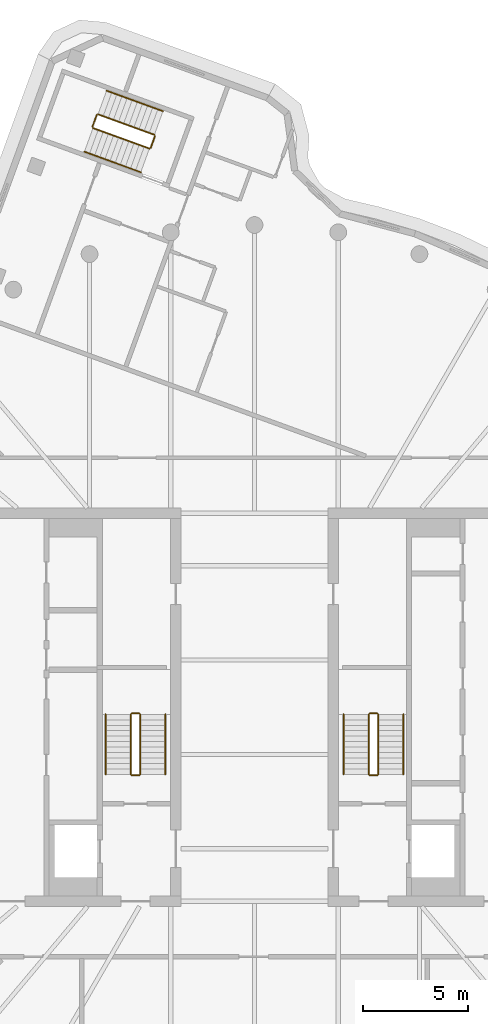
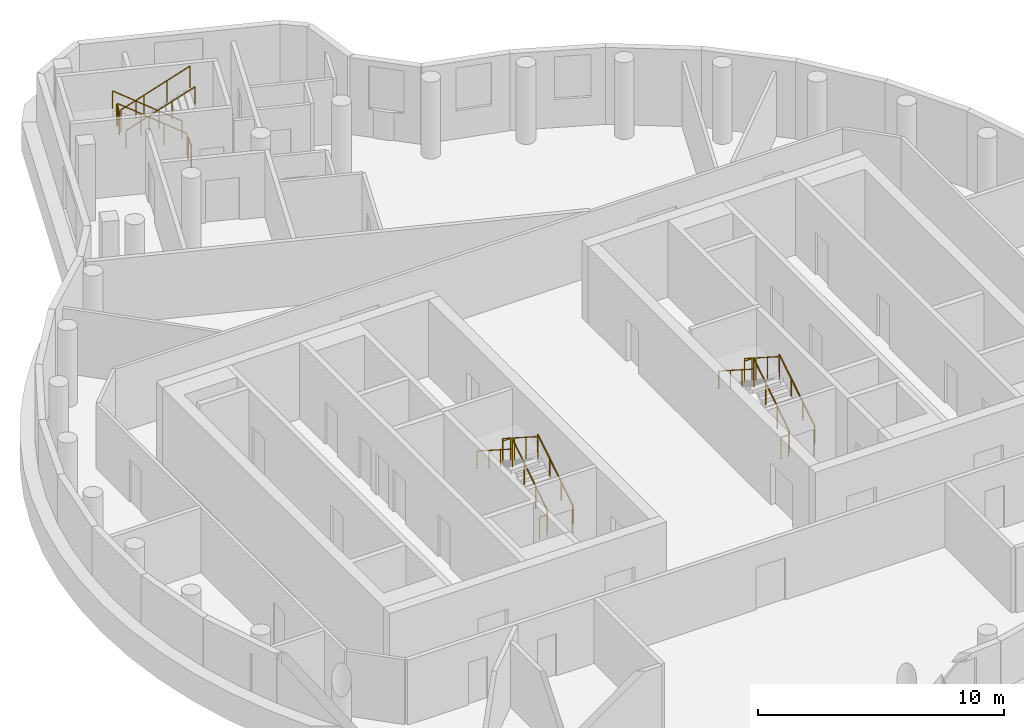
# One storey, part 7 of 7: 18 railings.
"""IFC4 building model written with IfcOpenShell, lengths in metres."""

from ifc_helpers import new_model, si_unit, direction, frame, origin, origin_2d, place, context, subcontext, project, spatial, circle, extrude, material, type_object, element, save


model = new_model("IFC4")

# Units and contexts
model_context = context("Model", 3, precision=1e-05, world=origin(), true_north=direction((0.0, 1.0)))
body_context = subcontext(model_context, "Body", "Model", "MODEL_VIEW")
ifc_project = project(units=[si_unit("LENGTHUNIT", "METRE"), si_unit("AREAUNIT", "SQUARE_METRE"), si_unit("VOLUMEUNIT", "CUBIC_METRE"), si_unit("PLANEANGLEUNIT", "RADIAN"), si_unit("MASSUNIT", "GRAM", prefix="KILO")], contexts=[model_context])

# Site, building, storey
site_placement = place(None, origin())
site = spatial("IfcSite", under=ifc_project, at=site_placement, CompositionType="ELEMENT")
building_placement = place(site_placement, origin())
building = spatial("IfcBuilding", under=site, at=building_placement, Name="Tamarind Cross Interchange Tower", CompositionType="ELEMENT")
storey_placement = place(building_placement, frame((0.0, 0.0, 309.39990234375)))
storey = spatial("IfcBuildingStorey", under=building, at=storey_placement, Name="L76", CompositionType="ELEMENT", Elevation=309.39990234375)

# Railings
ifc_material_1 = material(Name="Stair guard")
railing_type_1 = type_object("IfcRailingType", Name="Stair guard", PredefinedType="GUARDRAIL", material=ifc_material_1)
railing_1_placement = place(storey_placement, frame((-5.449951171875, -3.199951171875, 0.166748046875)))
element("IfcRailing", 1, at=railing_1_placement, inside=storey, type_object=railing_type_1, Name="L76 ST1 stair guard 1", PredefinedType="GUARDRAIL", context=body_context, shape_type="SweptSolid", body=[
    extrude(circle(Radius=0.02392578125, at=origin_2d()), frame((0.0, 0.0, 1.076171875), z_axis=(0.0, 0.841878301714, 0.539667420827), x_axis=(-1.0, 0.0, 0.0)), (0.0, 0.0, 1.0), 3.39697265625),
    extrude(circle(Radius=0.02099609375, at=origin_2d()), origin(), (0.0, 0.0, 1.0), 1.052001953125),
    extrude(circle(Radius=0.02099609375, at=origin_2d()), frame((0.0, 0.953369140625, 0.611083984375)), (0.0, 0.0, 1.0), 1.052001953125),
    extrude(circle(Radius=0.02099609375, at=origin_2d()), frame((0.0, 1.906494140625, 1.22216796875)), (0.0, 0.0, 1.0), 1.052001953125),
    extrude(circle(Radius=0.02099609375, at=origin_2d()), frame((0.0, 2.85986328125, 1.833251953125)), (0.0, 0.0, 1.0), 1.052001953125),
])
railing_2_placement = place(storey_placement, frame((-5.5, -0.2900390625, 2.0)))
element("IfcRailing", 2, at=railing_2_placement, inside=storey, type_object=railing_type_1, Name="L76 ST1 stair guard 2", PredefinedType="GUARDRAIL", context=body_context, shape_type="SweptSolid", body=[
    extrude(circle(Radius=0.02392578125, at=origin_2d()), frame((0.0, 0.0, 1.076171875), z_axis=(-1.0, 0.0, 0.0), x_axis=(0.0, -1.0, 0.0)), (0.0, 0.0, 1.0), 0.35009765625),
    extrude(circle(Radius=0.02099609375, at=origin_2d()), origin(), (0.0, 0.0, 1.0), 1.052001953125),
    extrude(circle(Radius=0.02099609375, at=origin_2d()), frame((-0.35009765625, 0.0, 0.0)), (0.0, 0.0, 1.0), 1.052001953125),
])
railing_3_placement = place(storey_placement, frame((-5.89990234375, -0.340087890625, 2.166748046875)))
element("IfcRailing", 3, at=railing_3_placement, inside=storey, type_object=railing_type_1, Name="L76 ST1 stair guard 3", PredefinedType="GUARDRAIL", context=body_context, shape_type="SweptSolid", body=[
    extrude(circle(Radius=0.02392578125, at=origin_2d()), frame((0.0, 0.0, 1.076171875), z_axis=(0.0, -0.841878301714, 0.539667420827), x_axis=(1.0, 0.0, 0.0)), (0.0, 0.0, 1.0), 3.39697265625),
    extrude(circle(Radius=0.02099609375, at=origin_2d()), origin(), (0.0, 0.0, 1.0), 1.052001953125),
    extrude(circle(Radius=0.02099609375, at=origin_2d()), frame((0.0, -0.953369140625, 0.611083984375)), (0.0, 0.0, 1.0), 1.052001953125),
    extrude(circle(Radius=0.02099609375, at=origin_2d()), frame((0.0, -1.906494140625, 1.22216796875)), (0.0, 0.0, 1.0), 1.052001953125),
    extrude(circle(Radius=0.02099609375, at=origin_2d()), frame((0.0, -2.85986328125, 1.833251953125)), (0.0, 0.0, 1.0), 1.052001953125),
])
railing_4_placement = place(storey_placement, frame((-5.5, -3.25, 0.0)))
element("IfcRailing", 4, at=railing_4_placement, inside=storey, type_object=railing_type_1, Name="L76 ST1 stair guard 4", PredefinedType="GUARDRAIL", context=body_context, shape_type="SweptSolid", body=[
    extrude(circle(Radius=0.02392578125, at=origin_2d()), frame((0.0, 0.0, 1.076171875), z_axis=(-1.0, 0.0, 0.0), x_axis=(0.0, -1.0, 0.0)), (0.0, 0.0, 1.0), 0.35009765625),
    extrude(circle(Radius=0.02099609375, at=origin_2d()), origin(), (0.0, 0.0, 1.0), 1.052001953125),
    extrude(circle(Radius=0.02099609375, at=origin_2d()), frame((-0.35009765625, 0.0, 0.0)), (0.0, 0.0, 1.0), 1.052001953125),
])
railing_5_placement = place(storey_placement, frame((5.89990234375, -3.199951171875, 0.166748046875)))
element("IfcRailing", 5, at=railing_5_placement, inside=storey, type_object=railing_type_1, Name="L76 ST2 stair guard 1", PredefinedType="GUARDRAIL", context=body_context, shape_type="SweptSolid", body=[
    extrude(circle(Radius=0.02392578125, at=origin_2d()), frame((0.0, 0.0, 1.076171875), z_axis=(0.0, 0.841878301714, 0.539667420827), x_axis=(-1.0, 0.0, 0.0)), (0.0, 0.0, 1.0), 3.39697265625),
    extrude(circle(Radius=0.02099609375, at=origin_2d()), origin(), (0.0, 0.0, 1.0), 1.052001953125),
    extrude(circle(Radius=0.02099609375, at=origin_2d()), frame((0.0, 0.953369140625, 0.611083984375)), (0.0, 0.0, 1.0), 1.052001953125),
    extrude(circle(Radius=0.02099609375, at=origin_2d()), frame((0.0, 1.906494140625, 1.22216796875)), (0.0, 0.0, 1.0), 1.052001953125),
    extrude(circle(Radius=0.02099609375, at=origin_2d()), frame((0.0, 2.85986328125, 1.833251953125)), (0.0, 0.0, 1.0), 1.052001953125),
])
railing_6_placement = place(storey_placement, frame((5.85009765625, -0.2900390625, 2.0)))
element("IfcRailing", 6, at=railing_6_placement, inside=storey, type_object=railing_type_1, Name="L76 ST2 stair guard 2", PredefinedType="GUARDRAIL", context=body_context, shape_type="SweptSolid", body=[
    extrude(circle(Radius=0.02392578125, at=origin_2d()), frame((0.0, 0.0, 1.076171875), z_axis=(-1.0, 0.0, 0.0), x_axis=(0.0, -1.0, 0.0)), (0.0, 0.0, 1.0), 0.35009765625),
    extrude(circle(Radius=0.02099609375, at=origin_2d()), origin(), (0.0, 0.0, 1.0), 1.052001953125),
    extrude(circle(Radius=0.02099609375, at=origin_2d()), frame((-0.35009765625, 0.0, 0.0)), (0.0, 0.0, 1.0), 1.052001953125),
])
railing_7_placement = place(storey_placement, frame((5.449951171875, -0.340087890625, 2.166748046875)))
element("IfcRailing", 7, at=railing_7_placement, inside=storey, type_object=railing_type_1, Name="L76 ST2 stair guard 3", PredefinedType="GUARDRAIL", context=body_context, shape_type="SweptSolid", body=[
    extrude(circle(Radius=0.02392578125, at=origin_2d()), frame((0.0, 0.0, 1.076171875), z_axis=(0.0, -0.841878301714, 0.539667420827), x_axis=(1.0, 0.0, 0.0)), (0.0, 0.0, 1.0), 3.39697265625),
    extrude(circle(Radius=0.02099609375, at=origin_2d()), origin(), (0.0, 0.0, 1.0), 1.052001953125),
    extrude(circle(Radius=0.02099609375, at=origin_2d()), frame((0.0, -0.953369140625, 0.611083984375)), (0.0, 0.0, 1.0), 1.052001953125),
    extrude(circle(Radius=0.02099609375, at=origin_2d()), frame((0.0, -1.906494140625, 1.22216796875)), (0.0, 0.0, 1.0), 1.052001953125),
    extrude(circle(Radius=0.02099609375, at=origin_2d()), frame((0.0, -2.85986328125, 1.833251953125)), (0.0, 0.0, 1.0), 1.052001953125),
])
railing_8_placement = place(storey_placement, frame((5.85009765625, -3.25, 0.0)))
element("IfcRailing", 8, at=railing_8_placement, inside=storey, type_object=railing_type_1, Name="L76 ST2 stair guard 4", PredefinedType="GUARDRAIL", context=body_context, shape_type="SweptSolid", body=[
    extrude(circle(Radius=0.02392578125, at=origin_2d()), frame((0.0, 0.0, 1.076171875), z_axis=(-1.0, 0.0, 0.0), x_axis=(0.0, -1.0, 0.0)), (0.0, 0.0, 1.0), 0.35009765625),
    extrude(circle(Radius=0.02099609375, at=origin_2d()), origin(), (0.0, 0.0, 1.0), 1.052001953125),
    extrude(circle(Radius=0.02099609375, at=origin_2d()), frame((-0.35009765625, 0.0, 0.0)), (0.0, 0.0, 1.0), 1.052001953125),
])
railing_9_placement = place(storey_placement, frame((-4.7744140625, 27.302490234375, 0.166748046875)))
element("IfcRailing", 9, at=railing_9_placement, inside=storey, type_object=railing_type_1, Name="L76 ST4 stair guard 1", PredefinedType="GUARDRAIL", context=body_context, shape_type="SweptSolid", body=[
    extrude(circle(Radius=0.02392578125, at=origin_2d()), frame((0.0, 0.0, 1.076171875), z_axis=(-0.791109245406, 0.287970089602, 0.539647467638), x_axis=(-0.342051474784, -0.939681216476, 0.0)), (0.0, 0.0, 1.0), 3.397216796875),
    extrude(circle(Radius=0.02099609375, at=origin_2d()), origin(), (0.0, 0.0, 1.0), 1.052001953125),
    extrude(circle(Radius=0.02099609375, at=origin_2d()), frame((-0.895751953125, 0.326171875, 0.611083984375)), (0.0, 0.0, 1.0), 1.052001953125),
    extrude(circle(Radius=0.02099609375, at=origin_2d()), frame((-1.791748046875, 0.652099609375, 1.22216796875)), (0.0, 0.0, 1.0), 1.052001953125),
    extrude(circle(Radius=0.02099609375, at=origin_2d()), frame((-2.6875, 0.978271484375, 1.833251953125)), (0.0, 0.0, 1.0), 1.052001953125),
])
railing_10_placement = place(storey_placement, frame((-7.526123046875, 28.250732421875, 2.0)))
element("IfcRailing", 10, at=railing_10_placement, inside=storey, type_object=railing_type_1, Name="L76 ST4 stair guard 2", PredefinedType="GUARDRAIL", context=body_context, shape_type="SweptSolid", body=[
    extrude(circle(Radius=0.02392578125, at=origin_2d()), frame((0.0, 0.0, 1.076171875), z_axis=(-0.341873772729, -0.939745882417, 0.0), x_axis=(0.939745882417, -0.341873772729, 0.0)), (0.0, 0.0, 1.0), 0.599853515625),
    extrude(circle(Radius=0.02099609375, at=origin_2d()), origin(), (0.0, 0.0, 1.0), 1.052001953125),
    extrude(circle(Radius=0.02099609375, at=origin_2d()), frame((-0.205078125, -0.563720703125, 0.0)), (0.0, 0.0, 1.0), 1.052001953125),
])
railing_11_placement = place(storey_placement, frame((-7.701416015625, 27.622802734375, 2.166748046875)))
element("IfcRailing", 11, at=railing_11_placement, inside=storey, type_object=railing_type_1, Name="L76 ST4 stair guard 3", PredefinedType="GUARDRAIL", context=body_context, shape_type="SweptSolid", body=[
    extrude(circle(Radius=0.02392578125, at=origin_2d()), frame((0.0, 0.0, 1.076171875), z_axis=(0.791125616254, -0.287904180479, 0.539658634852), x_axis=(0.34197609546, 0.939708651729, 0.0)), (0.0, 0.0, 1.0), 3.39697265625),
    extrude(circle(Radius=0.02099609375, at=origin_2d()), origin(), (0.0, 0.0, 1.0), 1.052001953125),
    extrude(circle(Radius=0.02099609375, at=origin_2d()), frame((0.895751953125, -0.325927734375, 0.611083984375)), (0.0, 0.0, 1.0), 1.052001953125),
    extrude(circle(Radius=0.02099609375, at=origin_2d()), frame((1.791748046875, -0.652099609375, 1.22216796875)), (0.0, 0.0, 1.0), 1.052001953125),
    extrude(circle(Radius=0.02099609375, at=origin_2d()), frame((2.6875, -0.97802734375, 1.833251953125)), (0.0, 0.0, 1.0), 1.052001953125),
])
railing_12_placement = place(storey_placement, frame((-4.74462890625, 27.238525390625, 0.0)))
element("IfcRailing", 12, at=railing_12_placement, inside=storey, type_object=railing_type_1, Name="L76 ST4 stair guard 4", PredefinedType="GUARDRAIL", context=body_context, shape_type="SweptSolid", body=[
    extrude(circle(Radius=0.02392578125, at=origin_2d()), frame((0.0, 0.0, 1.076171875), z_axis=(-0.341743063087, -0.939793423488, 0.0), x_axis=(0.939793423488, -0.341743063087, 0.0)), (0.0, 0.0, 1.0), 0.60009765625),
    extrude(circle(Radius=0.02099609375, at=origin_2d()), origin(), (0.0, 0.0, 1.0), 1.052001953125),
    extrude(circle(Radius=0.02099609375, at=origin_2d()), frame((-0.205078125, -0.56396484375, 0.0)), (0.0, 0.0, 1.0), 1.052001953125),
])
ifc_material_2 = material(Name="Stair handrail")
railing_type_2 = type_object("IfcRailingType", Name="Stair handrail", PredefinedType="HANDRAIL", material=ifc_material_2)
railing_13_placement = place(storey_placement, frame((-4.25, -3.199951171875, 0.166748046875)))
element("IfcRailing", 13, at=railing_13_placement, inside=storey, type_object=railing_type_2, Name="L76 ST1 stair handrail 1", PredefinedType="HANDRAIL", context=body_context, shape_type="SweptSolid", body=[
    extrude(circle(Radius=0.02392578125, at=origin_2d()), frame((0.0, 0.0, 0.8759765625), z_axis=(0.0, 0.841878301714, 0.539667420827), x_axis=(-1.0, 0.0, 0.0)), (0.0, 0.0, 1.0), 3.39697265625),
    extrude(circle(Radius=0.02099609375, at=origin_2d()), origin(), (0.0, 0.0, 1.0), 0.851806640625),
    extrude(circle(Radius=0.02099609375, at=origin_2d()), frame((0.0, 0.953369140625, 0.611083984375)), (0.0, 0.0, 1.0), 0.851806640625),
    extrude(circle(Radius=0.02099609375, at=origin_2d()), frame((0.0, 1.906494140625, 1.22216796875)), (0.0, 0.0, 1.0), 0.851806640625),
    extrude(circle(Radius=0.02099609375, at=origin_2d()), frame((0.0, 2.85986328125, 1.833251953125)), (0.0, 0.0, 1.0), 0.851806640625),
])
railing_14_placement = place(storey_placement, frame((-7.10009765625, -0.340087890625, 2.166748046875)))
element("IfcRailing", 14, at=railing_14_placement, inside=storey, type_object=railing_type_2, Name="L76 ST1 stair handrail 2", PredefinedType="HANDRAIL", context=body_context, shape_type="SweptSolid", body=[
    extrude(circle(Radius=0.02392578125, at=origin_2d()), frame((0.0, 0.0, 0.8759765625), z_axis=(0.0, -0.841878301714, 0.539667420827), x_axis=(1.0, 0.0, 0.0)), (0.0, 0.0, 1.0), 3.39697265625),
    extrude(circle(Radius=0.02099609375, at=origin_2d()), origin(), (0.0, 0.0, 1.0), 0.851806640625),
    extrude(circle(Radius=0.02099609375, at=origin_2d()), frame((0.0, -0.953369140625, 0.611083984375)), (0.0, 0.0, 1.0), 0.851806640625),
    extrude(circle(Radius=0.02099609375, at=origin_2d()), frame((0.0, -1.906494140625, 1.22216796875)), (0.0, 0.0, 1.0), 0.851806640625),
    extrude(circle(Radius=0.02099609375, at=origin_2d()), frame((0.0, -2.85986328125, 1.833251953125)), (0.0, 0.0, 1.0), 0.851806640625),
])
railing_15_placement = place(storey_placement, frame((7.10009765625, -3.199951171875, 0.166748046875)))
element("IfcRailing", 15, at=railing_15_placement, inside=storey, type_object=railing_type_2, Name="L76 ST2 stair handrail 1", PredefinedType="HANDRAIL", context=body_context, shape_type="SweptSolid", body=[
    extrude(circle(Radius=0.02392578125, at=origin_2d()), frame((0.0, 0.0, 0.8759765625), z_axis=(0.0, 0.841878301714, 0.539667420827), x_axis=(-1.0, 0.0, 0.0)), (0.0, 0.0, 1.0), 3.39697265625),
    extrude(circle(Radius=0.02099609375, at=origin_2d()), origin(), (0.0, 0.0, 1.0), 0.851806640625),
    extrude(circle(Radius=0.02099609375, at=origin_2d()), frame((0.0, 0.953369140625, 0.611083984375)), (0.0, 0.0, 1.0), 0.851806640625),
    extrude(circle(Radius=0.02099609375, at=origin_2d()), frame((0.0, 1.906494140625, 1.22216796875)), (0.0, 0.0, 1.0), 0.851806640625),
    extrude(circle(Radius=0.02099609375, at=origin_2d()), frame((0.0, 2.85986328125, 1.833251953125)), (0.0, 0.0, 1.0), 0.851806640625),
])
railing_16_placement = place(storey_placement, frame((4.25, -0.340087890625, 2.166748046875)))
element("IfcRailing", 16, at=railing_16_placement, inside=storey, type_object=railing_type_2, Name="L76 ST2 stair handrail 2", PredefinedType="HANDRAIL", context=body_context, shape_type="SweptSolid", body=[
    extrude(circle(Radius=0.02392578125, at=origin_2d()), frame((0.0, 0.0, 0.8759765625), z_axis=(0.0, -0.841878301714, 0.539667420827), x_axis=(1.0, 0.0, 0.0)), (0.0, 0.0, 1.0), 3.39697265625),
    extrude(circle(Radius=0.02099609375, at=origin_2d()), origin(), (0.0, 0.0, 1.0), 0.851806640625),
    extrude(circle(Radius=0.02099609375, at=origin_2d()), frame((0.0, -0.953369140625, 0.611083984375)), (0.0, 0.0, 1.0), 0.851806640625),
    extrude(circle(Radius=0.02099609375, at=origin_2d()), frame((0.0, -1.906494140625, 1.22216796875)), (0.0, 0.0, 1.0), 0.851806640625),
    extrude(circle(Radius=0.02099609375, at=origin_2d()), frame((0.0, -2.85986328125, 1.833251953125)), (0.0, 0.0, 1.0), 0.851806640625),
])
railing_17_placement = place(storey_placement, frame((-4.364013671875, 28.43017578125, 0.166748046875)))
element("IfcRailing", 17, at=railing_17_placement, inside=storey, type_object=railing_type_2, Name="L76 ST4 stair handrail 1", PredefinedType="HANDRAIL", context=body_context, shape_type="SweptSolid", body=[
    extrude(circle(Radius=0.02392578125, at=origin_2d()), frame((0.0, 0.0, 0.8759765625), z_axis=(-0.791125616254, 0.287904180479, 0.539658634852), x_axis=(-0.34197609546, -0.939708651729, 0.0)), (0.0, 0.0, 1.0), 3.39697265625),
    extrude(circle(Radius=0.02099609375, at=origin_2d()), origin(), (0.0, 0.0, 1.0), 0.851806640625),
    extrude(circle(Radius=0.02099609375, at=origin_2d()), frame((-0.895751953125, 0.325927734375, 0.611083984375)), (0.0, 0.0, 1.0), 0.851806640625),
    extrude(circle(Radius=0.02099609375, at=origin_2d()), frame((-1.791748046875, 0.652099609375, 1.22216796875)), (0.0, 0.0, 1.0), 0.851806640625),
    extrude(circle(Radius=0.02099609375, at=origin_2d()), frame((-2.6875, 0.97802734375, 1.833251953125)), (0.0, 0.0, 1.0), 0.851806640625),
])
railing_18_placement = place(storey_placement, frame((-8.11181640625, 26.4951171875, 2.166748046875)))
element("IfcRailing", 18, at=railing_18_placement, inside=storey, type_object=railing_type_2, Name="L76 ST4 stair handrail 2", PredefinedType="HANDRAIL", context=body_context, shape_type="SweptSolid", body=[
    extrude(circle(Radius=0.02392578125, at=origin_2d()), frame((0.0, 0.0, 0.8759765625), z_axis=(0.791125616254, -0.287904180479, 0.539658634852), x_axis=(0.34197609546, 0.939708651729, 0.0)), (0.0, 0.0, 1.0), 3.39697265625),
    extrude(circle(Radius=0.02099609375, at=origin_2d()), origin(), (0.0, 0.0, 1.0), 0.851806640625),
    extrude(circle(Radius=0.02099609375, at=origin_2d()), frame((0.895751953125, -0.325927734375, 0.611083984375)), (0.0, 0.0, 1.0), 0.851806640625),
    extrude(circle(Radius=0.02099609375, at=origin_2d()), frame((1.791748046875, -0.652099609375, 1.22216796875)), (0.0, 0.0, 1.0), 0.851806640625),
    extrude(circle(Radius=0.02099609375, at=origin_2d()), frame((2.6875, -0.97802734375, 1.833251953125)), (0.0, 0.0, 1.0), 0.851806640625),
])

save(model, "model.ifc")
